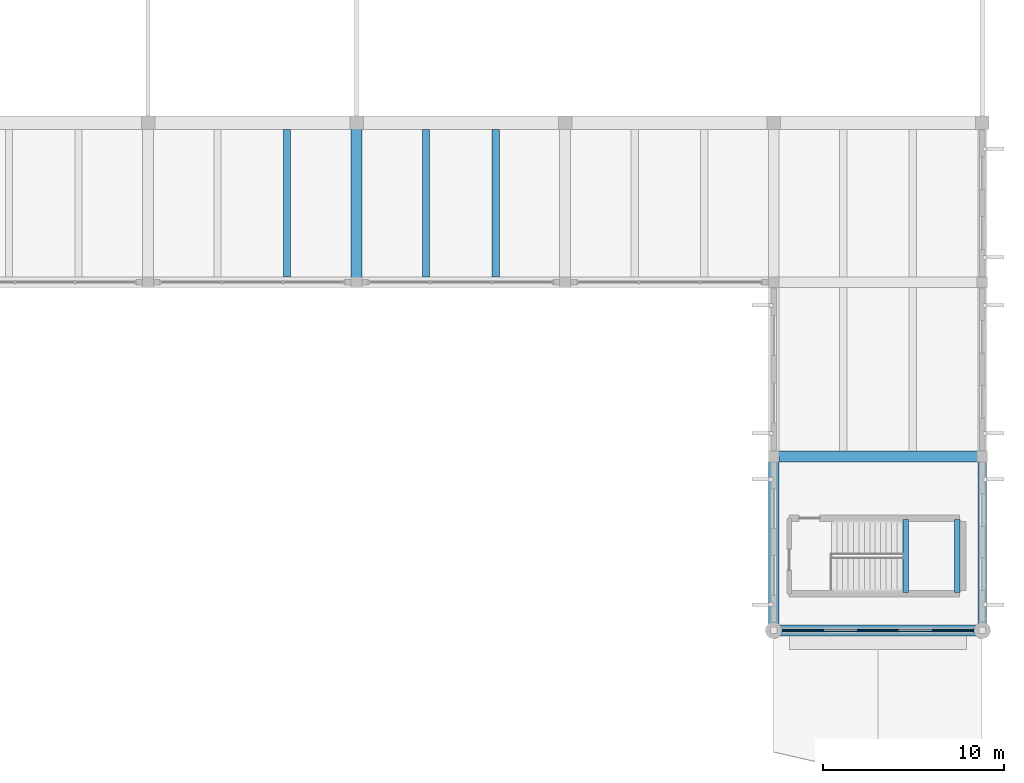
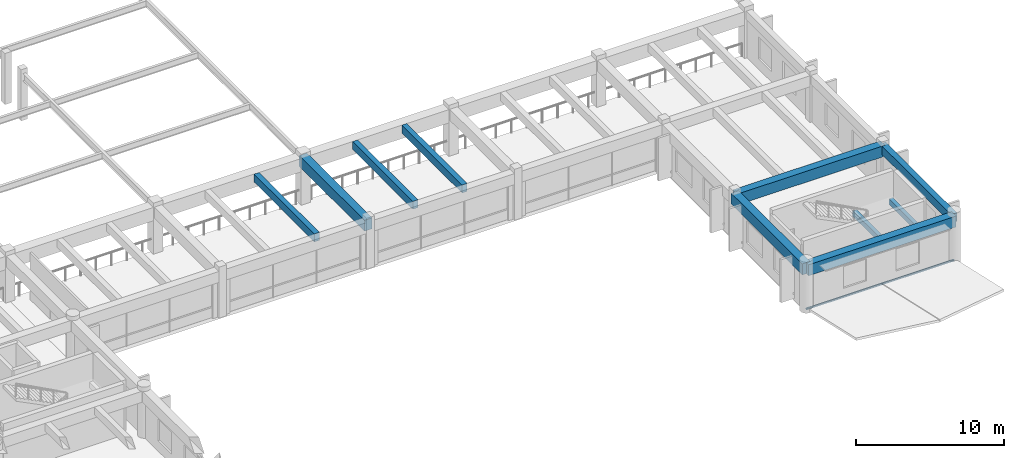
# One storey, part 49 of 98: 10 beams, 1 member.
"""IFC4 building model written with IfcOpenShell, lengths in metres."""

from ifc_helpers import new_model, si_unit, direction, frame, origin, origin_2d, place, context, subcontext, project, spatial, rectangle, hollow_circle, extrude, material, material_profile, profile_set, type_object, element, save


model = new_model("IFC4")

# Units and contexts
model_context = context("Model", 3, precision=1e-05, world=origin(), true_north=direction((0.0, 1.0)))
body_context = subcontext(model_context, "Body", "Model", "MODEL_VIEW")
ifc_project = project(units=[si_unit("LENGTHUNIT", "METRE"), si_unit("AREAUNIT", "SQUARE_METRE"), si_unit("VOLUMEUNIT", "CUBIC_METRE"), si_unit("PLANEANGLEUNIT", "RADIAN"), si_unit("MASSUNIT", "GRAM", prefix="KILO")], contexts=[model_context])

# Site, building, storey
site_placement = place(None, origin())
site = spatial("IfcSite", under=ifc_project, at=site_placement, CompositionType="ELEMENT")
building_placement = place(site_placement, origin())
building = spatial("IfcBuilding", under=site, at=building_placement, Name="Ologun Quay Terminus", CompositionType="ELEMENT")
storey_placement = place(building_placement, frame((0.0, 0.0, 4.199951171875)))
storey = spatial("IfcBuildingStorey", under=building, at=storey_placement, Name="L01", CompositionType="ELEMENT", Elevation=4.199951171875)

# Member
ifc_material_1 = material(Name="Steel S355", Category="steel")
ifc_material_profile_1 = material_profile(ifc_material_1, hollow_circle(Radius=0.084228515625, WallThickness=0.00634765625, at=origin_2d()), Name="CHS 168.3x6.3")
ifc_profile_set_1 = profile_set([ifc_material_profile_1], Name="Steel S355")
member_type = type_object("IfcMemberType", Name="Canopy Tie Strut CHS168", PredefinedType="STRUT", material=ifc_profile_set_1)
member_placement = place(storey_placement, frame((172.5, 8.0, 0.050048828125), z_axis=(1.0, 0.0, 0.0), x_axis=(0.0, 1.0, 0.0)))
element("IfcMember", 1, at=member_placement, inside=storey, type_object=member_type, Name="WB4 Canopy Tie S-16", PredefinedType="STRUT", context=body_context, shape_type="SweptSolid", body=[
    extrude(hollow_circle(Radius=0.084228515625, WallThickness=0.00634765625, at=origin_2d()), origin(), (0.0, 0.0, 1.0), 11.5),
])

# Beams
ifc_material_2 = material(Name="Concrete C40/50", Category="concrete")
ifc_material_profile_2 = material_profile(ifc_material_2, rectangle(XDim=0.300048828125, YDim=0.449951171875, at=origin_2d()), Name="RC 300x450")
ifc_profile_set_2 = profile_set([ifc_material_profile_2], Name="Concrete C40/50")
beam_type_1 = type_object("IfcBeamType", Name="Core Coupling Lintel Beam 300x450", PredefinedType="LINTEL", material=ifc_profile_set_2)
for number, where, z_axis, x_axis, name in (
    (2, (179.7900390625, 10.080078125, 1.695068359375), (0.0, 1.0, 0.0), (-1.0, 0.0, 0.0), "LN1 Half-Landing Ledger Beam ST-S2-W L01"),
    (3, (182.610107421875, 10.080078125, 1.695068359375), (0.0, 1.0, 0.0), (-1.0, 0.0, 0.0), "LN1 Half-Landing Ledger Beam ST-S2-E L01"),
):
    element("IfcBeam", number, at=place(storey_placement, frame(where, z_axis=z_axis, x_axis=x_axis)), inside=storey, type_object=beam_type_1, Name=name, PredefinedType="LINTEL", context=body_context, shape_type="SweptSolid", body=[
        extrude(rectangle(XDim=0.300048828125, YDim=0.449951171875, at=origin_2d()), origin(), (0.0, 0.0, 1.0), 4.0400390625),
    ])
ifc_material_3 = material(Name="Concrete C40/50", Category="concrete")
ifc_material_profile_3 = material_profile(ifc_material_3, rectangle(XDim=0.449951171875, YDim=0.699951171875, at=origin_2d()), Name="RC 450x700")
ifc_profile_set_3 = profile_set([ifc_material_profile_3], Name="Concrete C40/50")
beam_type_2 = type_object("IfcBeamType", Name="Perimeter Spandrel Beam 450x700", PredefinedType="SPANDREL", material=ifc_profile_set_3)
beam_1_placement = place(storey_placement, frame((184.0, 8.0, 3.5), z_axis=(0.0, 1.0, 0.0), x_axis=(-1.0, 0.0, 0.0)))
element("IfcBeam", 4, at=beam_1_placement, inside=storey, type_object=beam_type_2, Name="SP1 Beam 17/B L01", PredefinedType="SPANDREL", context=body_context, shape_type="SweptSolid", body=[
    extrude(rectangle(XDim=0.449951171875, YDim=0.699951171875, at=origin_2d()), origin(), (0.0, 0.0, 1.0), 9.60009765625),
])
ifc_material_4 = material(Name="Concrete C40/50", Category="concrete")
ifc_material_profile_4 = material_profile(ifc_material_4, rectangle(XDim=0.60009765625, YDim=0.89990234375, at=origin_2d()), Name="RC 600x900")
ifc_profile_set_4 = profile_set([ifc_material_profile_4], Name="Concrete C40/50")
beam_type_3 = type_object("IfcBeamType", Name="Station Frame Girder 600x900", PredefinedType="BEAM", material=ifc_profile_set_4)
for number, where, z_axis, x_axis, name in (
    (5, (172.5, 8.0, 3.400146484375), (1.0, 0.0, 0.0), (0.0, 1.0, 0.0), "B3 Beam 16/B L01"),
    (6, (172.5, 17.60009765625, 3.400146484375), (1.0, 0.0, 0.0), (0.0, 1.0, 0.0), "B3 Beam 16/C L01"),
):
    element("IfcBeam", number, at=place(storey_placement, frame(where, z_axis=z_axis, x_axis=x_axis)), inside=storey, type_object=beam_type_3, Name=name, PredefinedType="BEAM", context=body_context, shape_type="SweptSolid", body=[
        extrude(rectangle(XDim=0.60009765625, YDim=0.89990234375, at=origin_2d()), origin(), (0.0, 0.0, 1.0), 11.5),
    ])
beam_2_placement = place(storey_placement, frame((149.5, 27.199951171875, 3.400146484375), z_axis=(0.0, 1.0, 0.0), x_axis=(-1.0, 0.0, 0.0)))
element("IfcBeam", 7, at=beam_2_placement, inside=storey, type_object=beam_type_3, Name="B3 Beam 14/D L01", PredefinedType="BEAM", context=body_context, shape_type="SweptSolid", body=[
    extrude(rectangle(XDim=0.60009765625, YDim=0.89990234375, at=origin_2d()), origin(), (0.0, 0.0, 1.0), 8.800048828125),
])
beam_3_placement = place(storey_placement, frame((172.5, 8.0, 3.400146484375), z_axis=(0.0, 1.0, 0.0), x_axis=(-1.0, 0.0, 0.0)))
element("IfcBeam", 8, at=beam_3_placement, inside=storey, type_object=beam_type_3, Name="B3 Beam 16/B L01", PredefinedType="BEAM", context=body_context, shape_type="SweptSolid", body=[
    extrude(rectangle(XDim=0.60009765625, YDim=0.89990234375, at=origin_2d()), origin(), (0.0, 0.0, 1.0), 9.60009765625),
])
ifc_material_5 = material(Name="Concrete C40/50", Category="concrete")
ifc_material_profile_5 = material_profile(ifc_material_5, rectangle(XDim=0.39990234375, YDim=0.64990234375, at=origin_2d()), Name="RC 400x650")
ifc_profile_set_5 = profile_set([ifc_material_profile_5], Name="Concrete C40/50")
beam_type_4 = type_object("IfcBeamType", Name="Station Secondary Joist 400x650", PredefinedType="JOIST", material=ifc_profile_set_5)
for number, where, z_axis, x_axis, name in (
    (9, (145.666748046875, 27.5, 3.525146484375), (0.0, 1.0, 0.0), (-1.0, 0.0, 0.0), "J1 Beam 13/D L01"),
    (10, (153.333251953125, 27.5, 3.525146484375), (0.0, 1.0, 0.0), (-1.0, 0.0, 0.0), "J1 Beam 14/D L01"),
    (11, (157.166748046875, 27.5, 3.525146484375), (0.0, 1.0, 0.0), (-1.0, 0.0, 0.0), "J1 Beam 14/D L01"),
):
    element("IfcBeam", number, at=place(storey_placement, frame(where, z_axis=z_axis, x_axis=x_axis)), inside=storey, type_object=beam_type_4, Name=name, PredefinedType="JOIST", context=body_context, shape_type="SweptSolid", body=[
        extrude(rectangle(XDim=0.39990234375, YDim=0.64990234375, at=origin_2d()), origin(), (0.0, 0.0, 1.0), 8.125),
    ])

save(model, "model.ifc")
